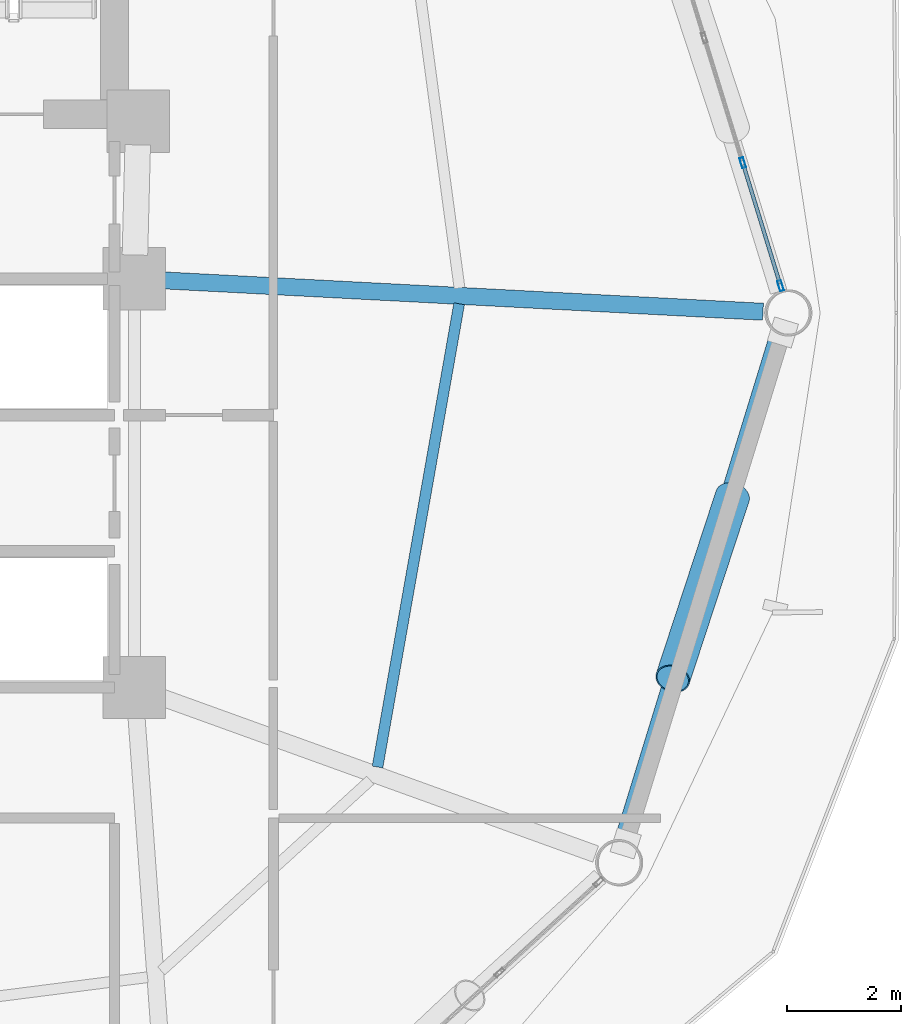
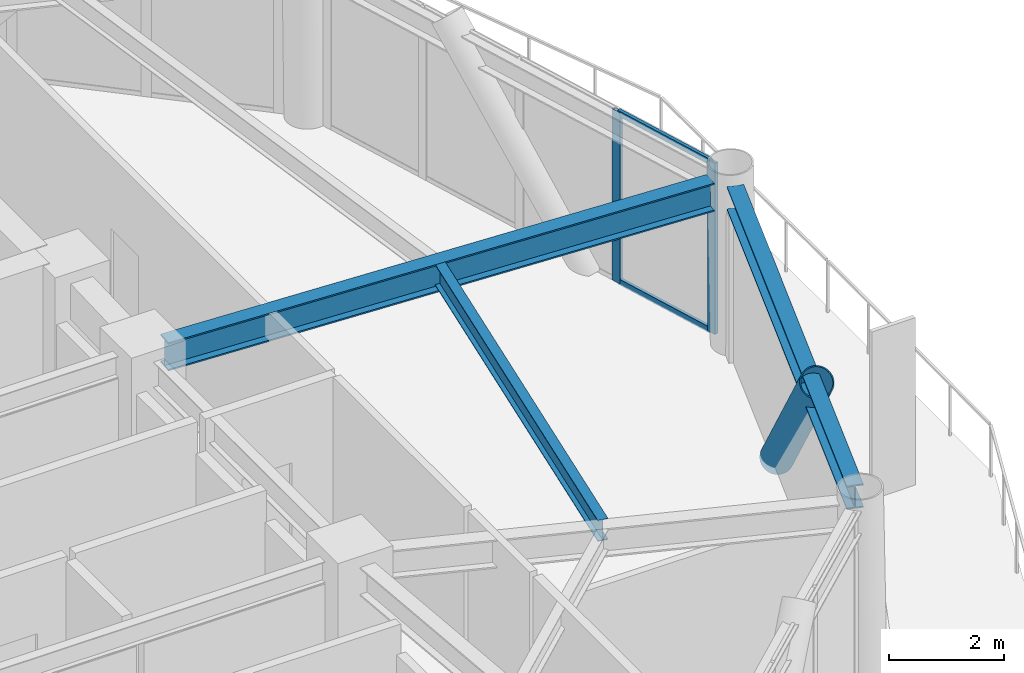
# One storey, part 12 of 23: 5 members, 3 beams, 1 element without a shape of its own.
"""IFC4 building model written with IfcOpenShell, lengths in metres."""

from ifc_helpers import new_model, si_unit, direction, frame, origin, origin_2d, place, context, subcontext, project, spatial, hollow_rectangle, hollow_circle, i_section, extrude, material, layer, layer_set, material_profile, profile_set, type_object, element, aggregate, save


model = new_model("IFC4")

# Units and contexts
model_context = context("Model", 3, precision=1e-05, world=origin(), true_north=direction((0.0, 1.0)))
body_context = subcontext(model_context, "Body", "Model", "MODEL_VIEW")
ifc_project = project(units=[si_unit("LENGTHUNIT", "METRE"), si_unit("AREAUNIT", "SQUARE_METRE"), si_unit("VOLUMEUNIT", "CUBIC_METRE"), si_unit("PLANEANGLEUNIT", "RADIAN"), si_unit("MASSUNIT", "GRAM", prefix="KILO")], contexts=[model_context])

# Site, building, storey
site_placement = place(None, origin())
site = spatial("IfcSite", under=ifc_project, at=site_placement, CompositionType="ELEMENT")
building_placement = place(site_placement, origin())
building = spatial("IfcBuilding", under=site, at=building_placement, Name="Varnakorn Sky Granary", CompositionType="ELEMENT")
storey_placement = place(building_placement, frame((0.0, 0.0, 114.89990234375)))
storey = spatial("IfcBuildingStorey", under=building, at=storey_placement, Name="L28", CompositionType="ELEMENT", Elevation=114.89990234375)

# Beams
ifc_material_1 = material(Name="Steel S355JR", Category="steel")
ifc_material_profile_1 = material_profile(ifc_material_1, i_section(OverallWidth=0.300048828125, OverallDepth=0.60009765625, WebThickness=0.015380859375, FlangeThickness=0.030029296875, at=origin_2d()), Name="HE 600 B")
ifc_profile_set_1 = profile_set([ifc_material_profile_1], Name="Steel S355JR")
beam_type_1 = type_object("IfcBeamType", Name="BM-RAD-Z2", PredefinedType="BEAM", material=ifc_profile_set_1)
beam_1_placement = place(storey_placement, frame((8.769287109375, 0.578125, 3.340087890625), z_axis=(0.998633835422, -0.052253830014, 0.0), x_axis=(0.052253830014, 0.998633835422, 0.0)))
element("IfcBeam", 1, at=beam_1_placement, inside=storey, type_object=beam_type_1, Name="Radial Floor Girder RG01 L28", PredefinedType="BEAM", context=body_context, shape_type="SweptSolid", body=[
    extrude(i_section(OverallWidth=0.300048828125, OverallDepth=0.60009765625, WebThickness=0.015380859375, FlangeThickness=0.030029296875, at=origin_2d()), origin(), (0.0, 0.0, 1.0), 10.67138671875),
])
ifc_material_profile_2 = material_profile(ifc_material_1, i_section(OverallWidth=0.18994140625, OverallDepth=0.449951171875, WebThickness=0.009521484375, FlangeThickness=0.0146484375, at=origin_2d()), Name="IPE 450")
ifc_profile_set_2 = profile_set([ifc_material_profile_2], Name="Steel S355JR")
beam_type_2 = type_object("IfcBeamType", Name="BM-SEC-Z2", PredefinedType="BEAM", material=ifc_profile_set_2)
beam_2_placement = place(storey_placement, frame((12.634765625, -8.00048828125, 3.4150390625), z_axis=(0.173597114647, 0.984816755435, 0.0), x_axis=(-0.984816755435, 0.173597114647, 0.0)))
element("IfcBeam", 2, at=beam_2_placement, inside=storey, type_object=beam_type_2, Name="Secondary Floor Chord Beam MSB12 L28", PredefinedType="BEAM", context=body_context, shape_type="SweptSolid", body=[
    extrude(i_section(OverallWidth=0.18994140625, OverallDepth=0.449951171875, WebThickness=0.009521484375, FlangeThickness=0.0146484375, at=origin_2d()), origin(), (0.0, 0.0, 1.0), 8.28759765625),
])
ifc_material_profile_3 = material_profile(ifc_material_1, i_section(OverallWidth=0.300048828125, OverallDepth=0.5, WebThickness=0.014404296875, FlangeThickness=0.028076171875, at=origin_2d()), Name="HE 500 B")
ifc_profile_set_3 = profile_set([ifc_material_profile_3], Name="Steel S355JR")
beam_type_3 = type_object("IfcBeamType", Name="BM-SPD-Z2", PredefinedType="SPANDREL", material=ifc_profile_set_3)
beam_3_placement = place(storey_placement, frame((16.959228515625, -9.292724609375, 3.39013671875), z_axis=(0.293942430688, 0.955823125605, 0.0), x_axis=(-0.955823125605, 0.293942430688, 0.0)))
element("IfcBeam", 3, at=beam_3_placement, inside=storey, type_object=beam_type_3, Name="Perimeter Spandrel Ring Beam RB12 L28", PredefinedType="SPANDREL", context=body_context, shape_type="SweptSolid", body=[
    extrude(i_section(OverallWidth=0.300048828125, OverallDepth=0.5, WebThickness=0.014404296875, FlangeThickness=0.028076171875, at=origin_2d()), origin(), (0.0, 0.0, 1.0), 9.33056640625),
])

# Curtain wall, members
ifc_material_2 = material(Name="Anodised Bronze Aluminium Alloy 6063-T6", Category="aluminium")
ifc_layer = layer(ifc_material_2, 0.179931640625, Name="Anodised Bronze Aluminium Alloy 6063-T6")
ifc_layer_set = layer_set([ifc_layer], Name="Anodised Bronze Aluminium Alloy 6063-T6")
curtain_wall_type = type_object("IfcCurtainWallType", Name="CW-FRM-2", PredefinedType="USERDEFINED", material=ifc_layer_set)
curtain_wall_placement = place(storey_placement, origin())
curtain_wall = element("IfcCurtainWall", 4, at=curtain_wall_placement, inside=storey, type_object=curtain_wall_type, Name="Unitised Curtain Wall CW4 CW-L28-B01", ObjectType="CURTAIN WALL", PredefinedType="USERDEFINED")
ifc_material_profile_4 = material_profile(ifc_material_2, hollow_rectangle(XDim=0.070068359375, YDim=0.18505859375, WallThickness=0.00390625, at=origin_2d()), Name="ALU MULL 70x185")
ifc_profile_set_4 = profile_set([ifc_material_profile_4], Name="Anodised Bronze Aluminium Alloy 6063-T6")
member_type_1 = type_object("IfcMemberType", Name="CW-FRM-2-MULL", PredefinedType="MULLION", material=ifc_profile_set_4)
member_1_placement = place(storey_placement, frame((19.069091796875, 2.645751953125, 0.0), z_axis=(0.0, 0.0, 1.0), x_axis=(0.955783470906, 0.294071346349, 0.0)))
member_1 = element("IfcMember", 5, at=member_1_placement, type_object=member_type_1, Name="CW4 mullion 4", PredefinedType="MULLION", context=body_context, shape_type="SweptSolid", body=[
    extrude(hollow_rectangle(XDim=0.070068359375, YDim=0.18505859375, WallThickness=0.00390625, at=origin_2d()), origin(), (0.0, 0.0, 1.0), 3.64013671875),
])
member_2_placement = place(storey_placement, frame((19.735595703125, 0.479248046875, 0.0), z_axis=(0.0, 0.0, 1.0), x_axis=(0.955783470906, 0.294071346349, 0.0)))
member_2 = element("IfcMember", 6, at=member_2_placement, type_object=member_type_1, Name="CW4 mullion 5", PredefinedType="MULLION", context=body_context, shape_type="SweptSolid", body=[
    extrude(hollow_rectangle(XDim=0.070068359375, YDim=0.18505859375, WallThickness=0.00390625, at=origin_2d()), origin(), (0.0, 0.0, 1.0), 3.64013671875),
])
ifc_material_profile_5 = material_profile(ifc_material_2, hollow_rectangle(XDim=0.06494140625, YDim=0.1201171875, WallThickness=0.00341796875, at=origin_2d()), Name="ALU TRAN 65x120")
ifc_profile_set_5 = profile_set([ifc_material_profile_5], Name="Anodised Bronze Aluminium Alloy 6063-T6")
member_type_2 = type_object("IfcMemberType", Name="CW-FRM-2-TRAN", PredefinedType="USERDEFINED", material=ifc_profile_set_5)
member_3_placement = place(storey_placement, frame((19.079345703125, 2.6123046875, 0.03271484375), z_axis=(0.293968697707, -0.955815047365, 0.0), x_axis=(0.955815047365, 0.293968697707, 0.0)))
member_3 = element("IfcMember", 7, at=member_3_placement, type_object=member_type_2, Name="CW4 transom 4.1", ObjectType="TRANSOM", PredefinedType="USERDEFINED", context=body_context, shape_type="SweptSolid", body=[
    extrude(hollow_rectangle(XDim=0.06494140625, YDim=0.1201171875, WallThickness=0.00341796875, at=origin_2d()), origin(), (0.0, 0.0, 1.0), 2.19677734375),
])
member_4_placement = place(storey_placement, frame((19.079345703125, 2.6123046875, 3.607666015625), z_axis=(0.293968697707, -0.955815047365, 0.0), x_axis=(0.955815047365, 0.293968697707, 0.0)))
member_4 = element("IfcMember", 8, at=member_4_placement, type_object=member_type_2, Name="CW4 transom 4.2", ObjectType="TRANSOM", PredefinedType="USERDEFINED", context=body_context, shape_type="SweptSolid", body=[
    extrude(hollow_rectangle(XDim=0.06494140625, YDim=0.1201171875, WallThickness=0.00341796875, at=origin_2d()), origin(), (0.0, 0.0, 1.0), 2.19677734375),
])
aggregate(curtain_wall, [member_1, member_2, member_3, member_4])

# Member
ifc_material_3 = material(Name="Steel S460M", Category="steel")
ifc_material_profile_6 = material_profile(ifc_material_3, hollow_circle(Radius=0.304931640625, WallThickness=0.022216796875, at=origin_2d()), Name="CHS 610x22")
ifc_profile_set_6 = profile_set([ifc_material_profile_6], Name="Steel S460M")
member_type_3 = type_object("IfcMemberType", Name="MB-DIAG-T1", PredefinedType="BRACE", material=ifc_profile_set_6)
member_5_placement = place(storey_placement, frame((18.88916015625, -3.230224609375, -0.1298828125), z_axis=(-0.203556186087, -0.620806288168, 0.757076239012), x_axis=(0.950223586259, -0.311568830463, 0.0)))
element("IfcMember", 9, at=member_5_placement, inside=storey, type_object=member_type_3, Name="Perimeter CHS Diagrid Brace DG12 L28", PredefinedType="BRACE", context=body_context, shape_type="SweptSolid", body=[
    extrude(hollow_circle(Radius=0.304931640625, WallThickness=0.022216796875, at=origin_2d()), origin(), (0.0, 0.0, 1.0), 5.177734375),
])

save(model, "model.ifc")
